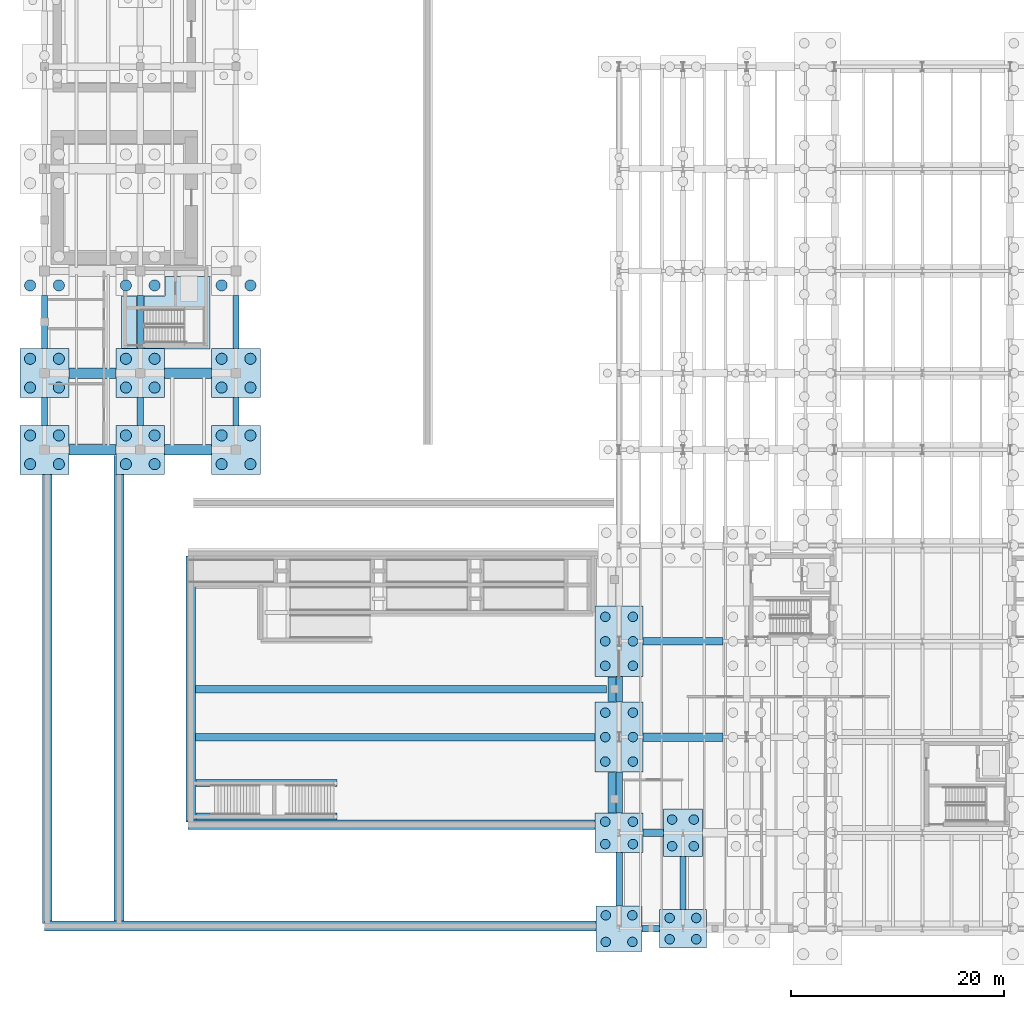
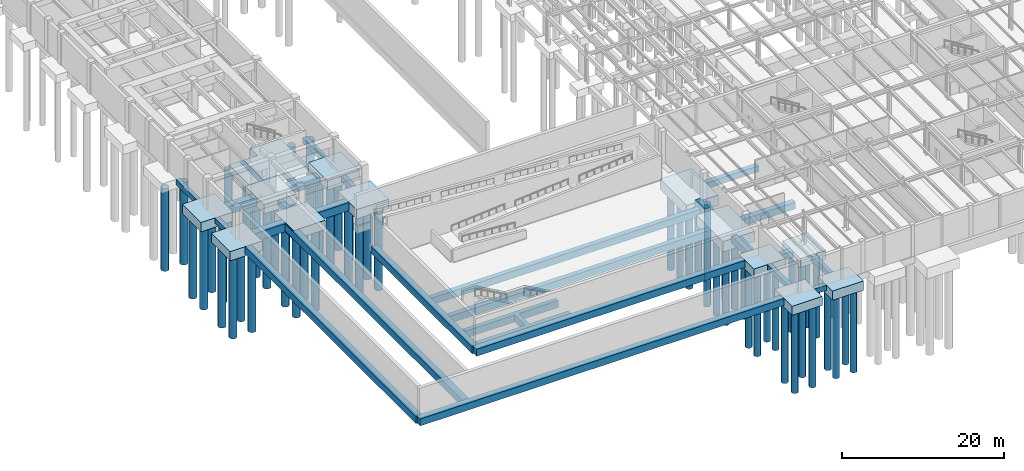
# One storey, part 1 of 59: 58 piles, 42 footings.
"""IFC4 building model written with IfcOpenShell, lengths in metres."""

from ifc_helpers import new_model, si_unit, direction, frame, origin, origin_2d, place, context, subcontext, project, spatial, polyline, rectangle, circle, outline, extrude, material, material_profile, profile_set, type_object, element, save


model = new_model("IFC4")

# Units and contexts
model_context = context("Model", 3, precision=1e-05, world=origin(), true_north=direction((0.0, 1.0)))
body_context = subcontext(model_context, "Body", "Model", "MODEL_VIEW")
ifc_project = project(units=[si_unit("LENGTHUNIT", "METRE"), si_unit("AREAUNIT", "SQUARE_METRE"), si_unit("VOLUMEUNIT", "CUBIC_METRE"), si_unit("PLANEANGLEUNIT", "RADIAN"), si_unit("MASSUNIT", "GRAM", prefix="KILO")], contexts=[model_context])

# Site, building, storey
site_placement = place(None, origin())
site = spatial("IfcSite", under=ifc_project, at=site_placement, CompositionType="ELEMENT")
building_placement = place(site_placement, origin())
building = spatial("IfcBuilding", under=site, at=building_placement, Name="Montealbar Specialist Clinic", CompositionType="ELEMENT")
storey_placement = place(building_placement, frame((0.0, 0.0, -4.800048828125)))
storey = spatial("IfcBuildingStorey", under=building, at=storey_placement, Name="B01", CompositionType="ELEMENT", Elevation=-4.800048828125)

# Footings
ifc_material = material(Name="Concrete C35/45", Category="concrete")
footing_type_1 = type_object("IfcFootingType", Name="FB-BUNKER-1000x1200", PredefinedType="FOOTING_BEAM", material=ifc_material)
footing_1_placement = place(storey_placement, frame((0.0, 0.0, -1.199951171875)))
element("IfcFooting", 1, at=footing_1_placement, inside=storey, type_object=footing_type_1, Name="Foundation Ground Beam FBX-23-67-450", PredefinedType="FOOTING_BEAM", context=body_context, shape_type="SweptSolid", body=[
    extrude(outline(polyline([(2.300048828125, 44.5), (6.699951171875, 44.5), (6.699951171875, 45.5), (2.300048828125, 45.5), (2.300048828125, 44.5)])), origin(), (0.0, 0.0, 1.0), 1.199951171875),
])
footing_2_placement = place(storey_placement, frame((0.0, 0.0, -1.199951171875)))
element("IfcFooting", 2, at=footing_2_placement, inside=storey, type_object=footing_type_1, Name="Foundation Ground Beam FBX-113-157-450", PredefinedType="FOOTING_BEAM", context=body_context, shape_type="SweptSolid", body=[
    extrude(outline(polyline([(11.300048828125, 44.5), (15.699951171875, 44.5), (15.699951171875, 45.5), (11.300048828125, 45.5), (11.300048828125, 44.5)])), origin(), (0.0, 0.0, 1.0), 1.199951171875),
])
footing_3_placement = place(storey_placement, frame((0.0, 0.0, -1.64990234375)))
element("IfcFooting", 3, at=footing_3_placement, inside=storey, type_object=footing_type_1, Name="Foundation Ground Beam FBX-23-67-522", PredefinedType="FOOTING_BEAM", context=body_context, shape_type="SweptSolid", body=[
    extrude(outline(polyline([(2.300048828125, 51.699951171875), (6.699951171875, 51.699951171875), (6.699951171875, 52.699951171875), (2.300048828125, 52.699951171875), (2.300048828125, 51.699951171875)])), origin(), (0.0, 0.0, 1.0), 1.199951171875),
])
footing_4_placement = place(storey_placement, frame((0.0, 0.0, -1.64990234375)))
element("IfcFooting", 4, at=footing_4_placement, inside=storey, type_object=footing_type_1, Name="Foundation Ground Beam FBX-113-157-522", PredefinedType="FOOTING_BEAM", context=body_context, shape_type="SweptSolid", body=[
    extrude(outline(polyline([(11.300048828125, 51.699951171875), (15.699951171875, 51.699951171875), (15.699951171875, 52.699951171875), (11.300048828125, 52.699951171875), (11.300048828125, 51.699951171875)])), origin(), (0.0, 0.0, 1.0), 1.199951171875),
])
footing_type_2 = type_object("IfcFootingType", Name="FB-TIE-600x800", PredefinedType="FOOTING_BEAM", material=ifc_material)
footing_5_placement = place(storey_placement, frame((0.0, 0.0, -0.800048828125)))
element("IfcFooting", 5, at=footing_5_placement, inside=storey, type_object=footing_type_2, Name="Foundation Ground Beam FBX-562-578-0", PredefinedType="FOOTING_BEAM", context=body_context, shape_type="SweptSolid", body=[
    extrude(outline(polyline([(56.14990234375, -0.300048828125), (57.800048828125, -0.300048828125), (57.800048828125, 0.300048828125), (56.14990234375, 0.300048828125), (56.14990234375, -0.300048828125)])), origin(), (0.0, 0.0, 1.0), 0.800048828125),
])
footing_6_placement = place(storey_placement, frame((0.0, 0.0, -0.800048828125)))
element("IfcFooting", 6, at=footing_6_placement, inside=storey, type_object=footing_type_2, Name="Foundation Tie Beam FBY-0-473-499", PredefinedType="FOOTING_BEAM", context=body_context, shape_type="SweptSolid", body=[
    extrude(outline(polyline([(-0.300048828125, 47.300048828125), (0.300048828125, 47.300048828125), (0.300048828125, 49.89990234375), (-0.300048828125, 49.89990234375), (-0.300048828125, 47.300048828125)])), origin(), (0.0, 0.0, 1.0), 0.800048828125),
])
footing_7_placement = place(storey_placement, frame((0.0, 0.0, -0.800048828125)))
element("IfcFooting", 7, at=footing_7_placement, inside=storey, type_object=footing_type_2, Name="Foundation Tie Beam FBY-0-545-595", PredefinedType="FOOTING_BEAM", context=body_context, shape_type="SweptSolid", body=[
    extrude(outline(polyline([(-0.300048828125, 54.5), (0.300048828125, 54.5), (0.300048828125, 59.5), (-0.300048828125, 59.5), (-0.300048828125, 54.5)])), origin(), (0.0, 0.0, 1.0), 0.800048828125),
])
footing_8_placement = place(storey_placement, frame((0.0, 0.0, -1.25)))
element("IfcFooting", 8, at=footing_8_placement, inside=storey, type_object=footing_type_2, Name="Foundation Tie Beam FBY-90-473-499", PredefinedType="FOOTING_BEAM", context=body_context, shape_type="SweptSolid", body=[
    extrude(outline(polyline([(8.699951171875, 47.300048828125), (9.300048828125, 47.300048828125), (9.300048828125, 49.89990234375), (8.699951171875, 49.89990234375), (8.699951171875, 47.300048828125)])), origin(), (0.0, 0.0, 1.0), 0.800048828125),
])
footing_9_placement = place(storey_placement, frame((0.0, 0.0, -1.25)))
element("IfcFooting", 9, at=footing_9_placement, inside=storey, type_object=footing_type_2, Name="Foundation Tie Beam FBY-90-545-595", PredefinedType="FOOTING_BEAM", context=body_context, shape_type="SweptSolid", body=[
    extrude(outline(polyline([(8.699951171875, 54.5), (9.300048828125, 54.5), (9.300048828125, 59.5), (8.699951171875, 59.5), (8.699951171875, 54.5)])), origin(), (0.0, 0.0, 1.0), 0.800048828125),
])
footing_10_placement = place(storey_placement, frame((0.0, 0.0, -0.800048828125)))
element("IfcFooting", 10, at=footing_10_placement, inside=storey, type_object=footing_type_2, Name="Foundation Tie Beam FBY-180-473-499", PredefinedType="FOOTING_BEAM", context=body_context, shape_type="SweptSolid", body=[
    extrude(outline(polyline([(17.699951171875, 47.300048828125), (18.300048828125, 47.300048828125), (18.300048828125, 49.89990234375), (17.699951171875, 49.89990234375), (17.699951171875, 47.300048828125)])), origin(), (0.0, 0.0, 1.0), 0.800048828125),
])
footing_11_placement = place(storey_placement, frame((0.0, 0.0, -0.800048828125)))
element("IfcFooting", 11, at=footing_11_placement, inside=storey, type_object=footing_type_2, Name="Foundation Tie Beam FBY-180-545-595", PredefinedType="FOOTING_BEAM", context=body_context, shape_type="SweptSolid", body=[
    extrude(outline(polyline([(17.699951171875, 54.5), (18.300048828125, 54.5), (18.300048828125, 59.5), (17.699951171875, 59.5), (17.699951171875, 54.5)])), origin(), (0.0, 0.0, 1.0), 0.800048828125),
])
footing_12_placement = place(storey_placement, frame((0.0, 0.0, -0.800048828125)))
element("IfcFooting", 12, at=footing_12_placement, inside=storey, type_object=footing_type_2, Name="Foundation Tie Beam FBY-540-22-72", PredefinedType="FOOTING_BEAM", context=body_context, shape_type="SweptSolid", body=[
    extrude(outline(polyline([(53.699951171875, 2.14990234375), (54.300048828125, 2.14990234375), (54.300048828125, 7.14990234375), (53.699951171875, 7.14990234375), (53.699951171875, 2.14990234375)])), origin(), (0.0, 0.0, 1.0), 0.800048828125),
])
footing_13_placement = place(storey_placement, frame((0.0, 0.0, -1.25)))
element("IfcFooting", 13, at=footing_13_placement, inside=storey, type_object=footing_type_2, Name="Foundation Tie Beam FBY-540-108-147", PredefinedType="FOOTING_BEAM", context=body_context, shape_type="SweptSolid", body=[
    extrude(outline(polyline([(53.699951171875, 10.85009765625), (54.300048828125, 10.85009765625), (54.300048828125, 14.699951171875), (53.699951171875, 14.699951171875), (53.699951171875, 10.85009765625)])), origin(), (0.0, 0.0, 1.0), 0.800048828125),
])
footing_14_placement = place(storey_placement, frame((0.0, 0.0, -1.25)))
element("IfcFooting", 14, at=footing_14_placement, inside=storey, type_object=footing_type_2, Name="Foundation Tie Beam FBY-540-213-237", PredefinedType="FOOTING_BEAM", context=body_context, shape_type="SweptSolid", body=[
    extrude(outline(polyline([(53.699951171875, 21.300048828125), (54.300048828125, 21.300048828125), (54.300048828125, 23.699951171875), (53.699951171875, 23.699951171875), (53.699951171875, 21.300048828125)])), origin(), (0.0, 0.0, 1.0), 0.800048828125),
])
footing_15_placement = place(storey_placement, frame((0.0, 0.0, -1.25)))
element("IfcFooting", 15, at=footing_15_placement, inside=storey, type_object=footing_type_2, Name="Foundation Tie Beam FBY-600-18-68", PredefinedType="FOOTING_BEAM", context=body_context, shape_type="SweptSolid", body=[
    extrude(outline(polyline([(59.699951171875, 1.800048828125), (60.300048828125, 1.800048828125), (60.300048828125, 6.77490234375), (59.699951171875, 6.77490234375), (59.699951171875, 1.800048828125)])), origin(), (0.0, 0.0, 1.0), 0.800048828125),
])
footing_type_3 = type_object("IfcFootingType", Name="FB-TIE-700x900", PredefinedType="FOOTING_BEAM", material=ifc_material)
footing_16_placement = place(storey_placement, frame((0.0, 0.0, -1.349853515625)))
element("IfcFooting", 16, at=footing_16_placement, inside=storey, type_object=footing_type_3, Name="Foundation Ground Beam FBX-562-582-90", PredefinedType="FOOTING_BEAM", context=body_context, shape_type="SweptSolid", body=[
    extrude(outline(polyline([(56.25, 8.64990234375), (58.175048828125, 8.64990234375), (58.175048828125, 9.35009765625), (56.25, 9.35009765625), (56.25, 8.64990234375)])), origin(), (0.0, 0.0, 1.0), 0.89990234375),
])
footing_17_placement = place(storey_placement, frame((0.0, 0.0, -1.349853515625)))
element("IfcFooting", 17, at=footing_17_placement, inside=storey, type_object=footing_type_3, Name="Foundation Ground Beam FBX-562-638-270", PredefinedType="FOOTING_BEAM", context=body_context, shape_type="SweptSolid", body=[
    extrude(outline(polyline([(56.25, 26.64990234375), (63.75, 26.64990234375), (63.75, 27.35009765625), (56.25, 27.35009765625), (56.25, 26.64990234375)])), origin(), (0.0, 0.0, 1.0), 0.89990234375),
])
footing_type_4 = type_object("IfcFootingType", Name="FB-TIE-800x1000", PredefinedType="FOOTING_BEAM", material=ifc_material)
footing_18_placement = place(storey_placement, frame((0.0, 0.0, -1.449951171875)))
element("IfcFooting", 18, at=footing_18_placement, inside=storey, type_object=footing_type_4, Name="Foundation Ground Beam FBX-562-638-180", PredefinedType="FOOTING_BEAM", context=body_context, shape_type="SweptSolid", body=[
    extrude(outline(polyline([(56.25, 17.60009765625), (63.75, 17.60009765625), (63.75, 18.39990234375), (56.25, 18.39990234375), (56.25, 17.60009765625)])), origin(), (0.0, 0.0, 1.0), 1.0),
])
footing_type_5 = type_object("IfcFootingType", Name="FT-CORE-STRIP", PredefinedType="STRIP_FOOTING", material=ifc_material)
footing_19_placement = place(storey_placement, frame((0.0, 0.0, -1.050048828125)))
element("IfcFooting", 19, at=footing_19_placement, inside=storey, type_object=footing_type_5, Name="Strip Footing FT-PLINTH-SW-S-1", PredefinedType="STRIP_FOOTING", context=body_context, shape_type="SweptSolid", body=[
    extrude(outline(polyline([(0.0, 0.699951171875), (51.820068359375, 0.699951171875), (51.820068359375, -0.199951171875), (0.0, -0.199951171875), (0.0, 0.699951171875)])), origin(), (0.0, 0.0, 1.0), 1.050048828125),
])
footing_20_placement = place(storey_placement, frame((0.0, 0.0, -1.050048828125)))
element("IfcFooting", 20, at=footing_20_placement, inside=storey, type_object=footing_type_5, Name="Strip Footing FT-PLINTH-SW-W-1", PredefinedType="STRIP_FOOTING", context=body_context, shape_type="SweptSolid", body=[
    extrude(outline(polyline([(0.0, 0.7099609375), (-0.0009765625, 0.7099609375), (-0.001953125, 0.7099609375), (-0.0029296875, 0.7099609375), (-0.00390625, 0.708984375), (-0.0048828125, 0.708984375), (-0.006103515625, 0.7080078125), (-0.006103515625, 0.7080078125), (-0.007080078125, 0.70703125), (-0.008056640625, 0.7060546875), (-0.008056640625, 0.7060546875), (-0.009033203125, 0.705078125), (-0.009033203125, 0.7041015625), (-0.010009765625, 0.702880859375), (-0.010009765625, 0.701904296875), (-0.010009765625, 0.700927734375), (-0.010009765625, 0.699951171875), (-0.010009765625, 0.5), (-0.199951171875, 0.5), (-0.199951171875, 42.669921875), (0.699951171875, 42.669921875), (0.699951171875, 0.7099609375), (0.0, 0.7099609375)])), origin(), (0.0, 0.0, 1.0), 1.050048828125),
])
footing_21_placement = place(storey_placement, frame((0.0, 0.0, -1.050048828125)))
element("IfcFooting", 21, at=footing_21_placement, inside=storey, type_object=footing_type_5, Name="Strip Footing FT-PLINTH-FC-S-1", PredefinedType="STRIP_FOOTING", context=body_context, shape_type="SweptSolid", body=[
    extrude(outline(polyline([(51.719970703125, 9.300048828125), (13.5, 9.300048828125), (13.5, 10.199951171875), (51.719970703125, 10.199951171875), (51.719970703125, 9.300048828125)])), origin(), (0.0, 0.0, 1.0), 1.050048828125),
])
footing_22_placement = place(storey_placement, frame((0.0, 0.0, -1.050048828125)))
element("IfcFooting", 22, at=footing_22_placement, inside=storey, type_object=footing_type_5, Name="Strip Footing FT-PLINTH-FC-W-1", PredefinedType="STRIP_FOOTING", context=body_context, shape_type="SweptSolid", body=[
    extrude(outline(polyline([(14.199951171875, 10.2099609375), (13.5, 10.2099609375), (13.4990234375, 10.2099609375), (13.498046875, 10.2099609375), (13.4970703125, 10.2099609375), (13.49609375, 10.208984375), (13.4951171875, 10.208984375), (13.493896484375, 10.2080078125), (13.493896484375, 10.2080078125), (13.492919921875, 10.20703125), (13.491943359375, 10.2060546875), (13.491943359375, 10.2060546875), (13.490966796875, 10.205078125), (13.490966796875, 10.2041015625), (13.489990234375, 10.202880859375), (13.489990234375, 10.201904296875), (13.489990234375, 10.200927734375), (13.489990234375, 10.199951171875), (13.489990234375, 10.0), (13.300048828125, 10.0), (13.300048828125, 35.0), (14.199951171875, 35.0), (14.199951171875, 10.2099609375)])), origin(), (0.0, 0.0, 1.0), 1.050048828125),
])
footing_23_placement = place(storey_placement, frame((0.0, 0.0, -1.050048828125)))
element("IfcFooting", 23, at=footing_23_placement, inside=storey, type_object=footing_type_5, Name="Strip Footing FT-PLINTH-SUP-SW1-1", PredefinedType="STRIP_FOOTING", context=body_context, shape_type="SweptSolid", body=[
    extrude(outline(polyline([(6.550048828125, 0.7099609375), (6.550048828125, 44.469970703125), (6.669921875, 44.469970703125), (6.669921875, 42.669921875), (7.449951171875, 42.669921875), (7.449951171875, 0.7099609375), (6.550048828125, 0.7099609375)])), origin(), (0.0, 0.0, 1.0), 1.050048828125),
])
footing_24_placement = place(storey_placement, frame((0.0, 0.0, -1.050048828125)))
element("IfcFooting", 24, at=footing_24_placement, inside=storey, type_object=footing_type_5, Name="Strip Footing FT-METRO-MP-2", PredefinedType="STRIP_FOOTING", context=body_context, shape_type="SweptSolid", body=[
    extrude(outline(polyline([(52.949951171875, 21.330078125), (52.949951171875, 23.669921875), (53.669921875, 23.669921875), (53.669921875, 21.330078125), (52.949951171875, 21.330078125)])), origin(), (0.0, 0.0, 1.0), 1.050048828125),
])
footing_25_placement = place(storey_placement, frame((0.0, 0.0, -1.050048828125)))
element("IfcFooting", 25, at=footing_25_placement, inside=storey, type_object=footing_type_5, Name="Strip Footing FT-METRO-MP-3", PredefinedType="STRIP_FOOTING", context=body_context, shape_type="SweptSolid", body=[
    extrude(outline(polyline([(52.949951171875, 14.669921875), (53.669921875, 14.669921875), (53.669921875, 10.8798828125), (52.949951171875, 10.8798828125), (52.949951171875, 14.669921875)])), origin(), (0.0, 0.0, 1.0), 1.050048828125),
])
footing_26_placement = place(storey_placement, frame((0.0, 0.0, -1.5)))
element("IfcFooting", 26, at=footing_26_placement, inside=storey, type_object=footing_type_5, Name="Strip Footing FT-FC-X-180-1", PredefinedType="STRIP_FOOTING", context=body_context, shape_type="SweptSolid", body=[
    extrude(outline(polyline([(51.719970703125, 17.64990234375), (14.2099609375, 17.64990234375), (14.2099609375, 18.35009765625), (51.719970703125, 18.35009765625), (51.719970703125, 17.64990234375)])), origin(), (0.0, 0.0, 1.0), 1.050048828125),
])
footing_27_placement = place(storey_placement, frame((0.0, 0.0, -1.5)))
element("IfcFooting", 27, at=footing_27_placement, inside=storey, type_object=footing_type_5, Name="Strip Footing FT-FC-X-225-1", PredefinedType="STRIP_FOOTING", context=body_context, shape_type="SweptSolid", body=[
    extrude(outline(polyline([(14.2099609375, 22.14990234375), (14.2099609375, 22.85009765625), (52.800048828125, 22.85009765625), (52.800048828125, 22.14990234375), (14.2099609375, 22.14990234375)])), origin(), (0.0, 0.0, 1.0), 1.050048828125),
])
footing_28_placement = place(storey_placement, frame((0.0, 0.0, -1.5)))
element("IfcFooting", 28, at=footing_28_placement, inside=storey, type_object=footing_type_5, Name="Strip Footing FT-CORE-C1-1", PredefinedType="STRIP_FOOTING", context=body_context, shape_type="SweptSolid", body=[
    extrude(outline(polyline([(8.669921875, 54.530029296875), (7.25, 54.530029296875), (7.25, 59.469970703125), (8.669921875, 59.469970703125), (8.669921875, 54.530029296875)])), origin(), (0.0, 0.0, 1.0), 1.050048828125),
])
footing_29_placement = place(storey_placement, frame((0.0, 0.0, -1.5)))
element("IfcFooting", 29, at=footing_29_placement, inside=storey, type_object=footing_type_5, Name="Strip Footing FT-CORE-C1-2", PredefinedType="STRIP_FOOTING", context=body_context, shape_type="SweptSolid", body=[
    extrude(outline(polyline([(15.550048828125, 61.27001953125), (15.550048828125, 54.449951171875), (11.330078125, 54.449951171875), (11.330078125, 54.530029296875), (9.330078125, 54.530029296875), (9.330078125, 59.469970703125), (11.330078125, 59.469970703125), (11.330078125, 61.27001953125), (15.550048828125, 61.27001953125)])), origin(), (0.0, 0.0, 1.0), 1.050048828125),
])
footing_30_placement = place(storey_placement, frame((0.0, 0.0, -1.050048828125)))
element("IfcFooting", 30, at=footing_30_placement, inside=storey, type_object=footing_type_5, Name="Strip Footing FT-FORECOURT-WALLS-1", PredefinedType="STRIP_FOOTING", context=body_context, shape_type="SweptSolid", body=[
    extrude(outline(polyline([(14.260009765625, 13.9951171875), (27.5, 13.9951171875), (27.5, 13.35498046875), (21.919921875, 13.35498046875), (21.919921875, 10.844970703125), (27.5, 10.844970703125), (27.5, 10.2099609375), (14.260009765625, 10.2099609375), (14.260009765625, 10.844970703125), (21.280029296875, 10.844970703125), (21.280029296875, 13.35498046875), (14.260009765625, 13.35498046875), (14.260009765625, 13.9951171875)])), origin(), (0.0, 0.0, 1.0), 1.050048828125),
])
footing_type_6 = type_object("IfcFootingType", Name="PC-4F", PredefinedType="PILE_CAP", material=ifc_material)
footing_31_placement = place(storey_placement, frame((54.0, 0.0, -1.35009765625), z_axis=(0.0, 0.0, 1.0), x_axis=(1.0, 0.0, 0.0)))
element("IfcFooting", 31, at=footing_31_placement, inside=storey, type_object=footing_type_6, Name="Pile Cap 7/A", PredefinedType="PILE_CAP", context=body_context, shape_type="SweptSolid", body=[
    extrude(rectangle(XDim=4.300048828125, YDim=4.300048828125, at=origin_2d()), origin(), (0.0, 0.0, 1.0), 1.35009765625),
])
footing_type_7 = type_object("IfcFootingType", Name="PC-4G", PredefinedType="PILE_CAP", material=ifc_material)
footing_32_placement = place(storey_placement, frame((54.0, 9.0, -1.35009765625), z_axis=(0.0, 0.0, 1.0), x_axis=(1.0, 0.0, 0.0)))
element("IfcFooting", 32, at=footing_32_placement, inside=storey, type_object=footing_type_7, Name="Pile Cap 7/B", PredefinedType="PILE_CAP", context=body_context, shape_type="SweptSolid", body=[
    extrude(rectangle(XDim=4.5, YDim=3.699951171875, at=origin_2d()), origin(), (0.0, 0.0, 1.0), 1.35009765625),
])
footing_type_8 = type_object("IfcFootingType", Name="PC-4H", PredefinedType="PILE_CAP", material=ifc_material)
for number, where, z_axis, x_axis, name in (
    (33, (0.0, 45.0, -1.39990234375), (0.0, 0.0, 1.0), (1.0, 0.0, 0.0), "Pile Cap 1/F"),
    (34, (0.0, 52.199951171875, -1.39990234375), (0.0, 0.0, 1.0), (1.0, 0.0, 0.0), "Pile Cap 1/G"),
    (35, (9.0, 45.0, -1.39990234375), (0.0, 0.0, 1.0), (1.0, 0.0, 0.0), "Pile Cap 2/F"),
    (36, (9.0, 52.199951171875, -1.849853515625), (0.0, 0.0, 1.0), (1.0, 0.0, 0.0), "Pile Cap 2/G"),
    (37, (18.0, 45.0, -1.39990234375), (0.0, 0.0, 1.0), (1.0, 0.0, 0.0), "Pile Cap 3/F"),
    (38, (18.0, 52.199951171875, -1.39990234375), (0.0, 0.0, 1.0), (1.0, 0.0, 0.0), "Pile Cap 3/G"),
):
    element("IfcFooting", number, at=place(storey_placement, frame(where, z_axis=z_axis, x_axis=x_axis)), inside=storey, type_object=footing_type_8, Name=name, PredefinedType="PILE_CAP", context=body_context, shape_type="SweptSolid", body=[
        extrude(rectangle(XDim=4.60009765625, YDim=4.60009765625, at=origin_2d()), origin(), (0.0, 0.0, 1.0), 1.39990234375),
    ])
footing_type_9 = type_object("IfcFootingType", Name="PC-4J", PredefinedType="PILE_CAP", material=ifc_material)
footing_33_placement = place(storey_placement, frame((60.0, 0.0, -1.39990234375), z_axis=(0.0, 0.0, 1.0), x_axis=(1.0, 0.0, 0.0)))
element("IfcFooting", 39, at=footing_33_placement, inside=storey, type_object=footing_type_9, Name="Pile Cap 8/A", PredefinedType="PILE_CAP", context=body_context, shape_type="SweptSolid", body=[
    extrude(rectangle(XDim=4.39990234375, YDim=3.60009765625, at=origin_2d()), origin(), (0.0, 0.0, 1.0), 1.39990234375),
])
footing_type_10 = type_object("IfcFootingType", Name="PC-4K", PredefinedType="PILE_CAP", material=ifc_material)
footing_34_placement = place(storey_placement, frame((60.0, 9.0, -1.800048828125), z_axis=(0.0, 0.0, 1.0), x_axis=(1.0, 0.0, 0.0)))
element("IfcFooting", 40, at=footing_34_placement, inside=storey, type_object=footing_type_10, Name="Pile Cap 8/B", PredefinedType="PILE_CAP", context=body_context, shape_type="SweptSolid", body=[
    extrude(rectangle(XDim=3.64990234375, YDim=4.449951171875, at=origin_2d()), origin(), (0.0, 0.0, 1.0), 1.35009765625),
])
footing_type_11 = type_object("IfcFootingType", Name="PC-6D", PredefinedType="PILE_CAP", material=ifc_material)
for number, where, z_axis, x_axis, name in (
    (41, (54.0, 18.0, -2.0), (0.0, 0.0, 1.0), (1.0, 0.0, 0.0), "Pile Cap 7/C"),
    (42, (54.0, 27.0, -2.0), (0.0, 0.0, 1.0), (1.0, 0.0, 0.0), "Pile Cap 7/D"),
):
    element("IfcFooting", number, at=place(storey_placement, frame(where, z_axis=z_axis, x_axis=x_axis)), inside=storey, type_object=footing_type_11, Name=name, PredefinedType="PILE_CAP", context=body_context, shape_type="SweptSolid", body=[
        extrude(rectangle(XDim=4.5, YDim=6.60009765625, at=origin_2d()), origin(), (0.0, 0.0, 1.0), 1.550048828125),
    ])

# Piles
ifc_material_profile_1 = material_profile(ifc_material, circle(Radius=0.52490234375, at=origin_2d()), Name="PILE D1050", Category="concrete")
ifc_profile_set_1 = profile_set([ifc_material_profile_1], Name="Concrete C35/45")
pile_type_1 = type_object("IfcPileType", Name="PILE-D1050", PredefinedType="BORED", material=ifc_profile_set_1)
for number, where, z_axis, x_axis, name in (
    (43, (-1.35009765625, 43.64990234375, -1.300048828125), (0.0, 0.0, -1.0), (1.0, 0.0, 0.0), "Bored Pile 1/F-P1"),
    (44, (1.35009765625, 43.64990234375, -1.300048828125), (0.0, 0.0, -1.0), (1.0, 0.0, 0.0), "Bored Pile 1/F-P2"),
    (45, (-1.35009765625, 46.35009765625, -1.300048828125), (0.0, 0.0, -1.0), (1.0, 0.0, 0.0), "Bored Pile 1/F-P3"),
    (46, (1.35009765625, 46.35009765625, -1.300048828125), (0.0, 0.0, -1.0), (1.0, 0.0, 0.0), "Bored Pile 1/F-P4"),
    (47, (-1.35009765625, 50.85009765625, -1.300048828125), (0.0, 0.0, -1.0), (1.0, 0.0, 0.0), "Bored Pile 1/G-P1"),
    (48, (1.35009765625, 50.85009765625, -1.300048828125), (0.0, 0.0, -1.0), (1.0, 0.0, 0.0), "Bored Pile 1/G-P2"),
    (49, (-1.35009765625, 53.550048828125, -1.300048828125), (0.0, 0.0, -1.0), (1.0, 0.0, 0.0), "Bored Pile 1/G-P3"),
    (50, (1.35009765625, 53.550048828125, -1.300048828125), (0.0, 0.0, -1.0), (1.0, 0.0, 0.0), "Bored Pile 1/G-P4"),
    (51, (-1.35009765625, 60.449951171875, -1.300048828125), (0.0, 0.0, -1.0), (1.0, 0.0, 0.0), "Bored Pile 1/H-P1"),
    (52, (1.35009765625, 60.449951171875, -1.300048828125), (0.0, 0.0, -1.0), (1.0, 0.0, 0.0), "Bored Pile 1/H-P2"),
    (53, (7.64990234375, 43.64990234375, -1.300048828125), (0.0, 0.0, -1.0), (1.0, 0.0, 0.0), "Bored Pile 2/F-P1"),
    (54, (10.35009765625, 43.64990234375, -1.300048828125), (0.0, 0.0, -1.0), (1.0, 0.0, 0.0), "Bored Pile 2/F-P2"),
    (55, (7.64990234375, 46.35009765625, -1.300048828125), (0.0, 0.0, -1.0), (1.0, 0.0, 0.0), "Bored Pile 2/F-P3"),
    (56, (10.35009765625, 46.35009765625, -1.300048828125), (0.0, 0.0, -1.0), (1.0, 0.0, 0.0), "Bored Pile 2/F-P4"),
):
    element("IfcPile", number, at=place(storey_placement, frame(where, z_axis=z_axis, x_axis=x_axis)), inside=storey, type_object=pile_type_1, Name=name, PredefinedType="BORED", context=body_context, shape_type="SweptSolid", body=[
        extrude(circle(Radius=0.52490234375, at=origin_2d()), origin(), (0.0, 0.0, 1.0), 12.39990234375),
    ])
for number, where, z_axis, x_axis, name in (
    (57, (7.64990234375, 50.85009765625, -1.75), (0.0, 0.0, -1.0), (1.0, 0.0, 0.0), "Bored Pile 2/G-P1"),
    (58, (10.35009765625, 50.85009765625, -1.75), (0.0, 0.0, -1.0), (1.0, 0.0, 0.0), "Bored Pile 2/G-P2"),
    (59, (7.64990234375, 53.550048828125, -1.75), (0.0, 0.0, -1.0), (1.0, 0.0, 0.0), "Bored Pile 2/G-P3"),
    (60, (10.35009765625, 53.550048828125, -1.75), (0.0, 0.0, -1.0), (1.0, 0.0, 0.0), "Bored Pile 2/G-P4"),
    (61, (7.64990234375, 60.449951171875, -1.75), (0.0, 0.0, -1.0), (1.0, 0.0, 0.0), "Bored Pile 2/H-P1"),
    (62, (10.35009765625, 60.449951171875, -1.75), (0.0, 0.0, -1.0), (1.0, 0.0, 0.0), "Bored Pile 2/H-P2"),
):
    element("IfcPile", number, at=place(storey_placement, frame(where, z_axis=z_axis, x_axis=x_axis)), inside=storey, type_object=pile_type_1, Name=name, PredefinedType="BORED", context=body_context, shape_type="SweptSolid", body=[
        extrude(circle(Radius=0.52490234375, at=origin_2d()), origin(), (0.0, 0.0, 1.0), 11.949951171875),
    ])
for number, where, z_axis, x_axis, name in (
    (63, (16.64990234375, 43.64990234375, -1.300048828125), (0.0, 0.0, -1.0), (1.0, 0.0, 0.0), "Bored Pile 3/F-P1"),
    (64, (19.35009765625, 43.64990234375, -1.300048828125), (0.0, 0.0, -1.0), (1.0, 0.0, 0.0), "Bored Pile 3/F-P2"),
    (65, (16.64990234375, 46.35009765625, -1.300048828125), (0.0, 0.0, -1.0), (1.0, 0.0, 0.0), "Bored Pile 3/F-P3"),
    (66, (19.35009765625, 46.35009765625, -1.300048828125), (0.0, 0.0, -1.0), (1.0, 0.0, 0.0), "Bored Pile 3/F-P4"),
    (67, (16.64990234375, 50.85009765625, -1.300048828125), (0.0, 0.0, -1.0), (1.0, 0.0, 0.0), "Bored Pile 3/G-P1"),
    (68, (19.35009765625, 50.85009765625, -1.300048828125), (0.0, 0.0, -1.0), (1.0, 0.0, 0.0), "Bored Pile 3/G-P2"),
    (69, (16.64990234375, 53.550048828125, -1.300048828125), (0.0, 0.0, -1.0), (1.0, 0.0, 0.0), "Bored Pile 3/G-P3"),
    (70, (19.35009765625, 53.550048828125, -1.300048828125), (0.0, 0.0, -1.0), (1.0, 0.0, 0.0), "Bored Pile 3/G-P4"),
    (71, (16.64990234375, 60.449951171875, -1.300048828125), (0.0, 0.0, -1.0), (1.0, 0.0, 0.0), "Bored Pile 3/H-P1"),
    (72, (19.35009765625, 60.449951171875, -1.300048828125), (0.0, 0.0, -1.0), (1.0, 0.0, 0.0), "Bored Pile 3/H-P2"),
):
    element("IfcPile", number, at=place(storey_placement, frame(where, z_axis=z_axis, x_axis=x_axis)), inside=storey, type_object=pile_type_1, Name=name, PredefinedType="BORED", context=body_context, shape_type="SweptSolid", body=[
        extrude(circle(Radius=0.52490234375, at=origin_2d()), origin(), (0.0, 0.0, 1.0), 12.39990234375),
    ])
ifc_material_profile_2 = material_profile(ifc_material, circle(Radius=0.449951171875, at=origin_2d()), Name="PILE D900", Category="concrete")
ifc_profile_set_2 = profile_set([ifc_material_profile_2], Name="Concrete C35/45")
pile_type_2 = type_object("IfcPileType", Name="PILE-D900", PredefinedType="BORED", material=ifc_profile_set_2)
for number, where, z_axis, x_axis, name in (
    (73, (52.75, -1.25, -1.25), (0.0, 0.0, -1.0), (1.0, 0.0, 0.0), "Bored Pile 7/A-P1"),
    (74, (55.25, -1.25, -1.25), (0.0, 0.0, -1.0), (1.0, 0.0, 0.0), "Bored Pile 7/A-P2"),
    (75, (52.75, 1.25, -1.25), (0.0, 0.0, -1.0), (1.0, 0.0, 0.0), "Bored Pile 7/A-P3"),
    (76, (55.25, 1.25, -1.25), (0.0, 0.0, -1.0), (1.0, 0.0, 0.0), "Bored Pile 7/A-P4"),
    (77, (52.699951171875, 7.949951171875, -1.25), (0.0, 0.0, -1.0), (1.0, 0.0, 0.0), "Bored Pile 7/B-P1"),
    (78, (55.300048828125, 7.949951171875, -1.25), (0.0, 0.0, -1.0), (1.0, 0.0, 0.0), "Bored Pile 7/B-P2"),
    (79, (52.699951171875, 10.050048828125, -1.25), (0.0, 0.0, -1.0), (1.0, 0.0, 0.0), "Bored Pile 7/B-P3"),
    (80, (55.300048828125, 10.050048828125, -1.25), (0.0, 0.0, -1.0), (1.0, 0.0, 0.0), "Bored Pile 7/B-P4"),
):
    element("IfcPile", number, at=place(storey_placement, frame(where, z_axis=z_axis, x_axis=x_axis)), inside=storey, type_object=pile_type_2, Name=name, PredefinedType="BORED", context=body_context, shape_type="SweptSolid", body=[
        extrude(circle(Radius=0.449951171875, at=origin_2d()), origin(), (0.0, 0.0, 1.0), 12.449951171875),
    ])
for number, where, z_axis, x_axis, name in (
    (81, (52.699951171875, 15.699951171875, -1.89990234375), (0.0, 0.0, -1.0), (1.0, 0.0, 0.0), "Bored Pile 7/C-P1"),
    (82, (55.300048828125, 15.699951171875, -1.89990234375), (0.0, 0.0, -1.0), (1.0, 0.0, 0.0), "Bored Pile 7/C-P2"),
    (83, (52.699951171875, 18.0, -1.89990234375), (0.0, 0.0, -1.0), (1.0, 0.0, 0.0), "Bored Pile 7/C-P3"),
    (84, (55.300048828125, 18.0, -1.89990234375), (0.0, 0.0, -1.0), (1.0, 0.0, 0.0), "Bored Pile 7/C-P4"),
    (85, (52.699951171875, 20.300048828125, -1.89990234375), (0.0, 0.0, -1.0), (1.0, 0.0, 0.0), "Bored Pile 7/C-P5"),
    (86, (55.300048828125, 20.300048828125, -1.89990234375), (0.0, 0.0, -1.0), (1.0, 0.0, 0.0), "Bored Pile 7/C-P6"),
    (87, (52.699951171875, 24.699951171875, -1.89990234375), (0.0, 0.0, -1.0), (1.0, 0.0, 0.0), "Bored Pile 7/D-P1"),
    (88, (55.300048828125, 24.699951171875, -1.89990234375), (0.0, 0.0, -1.0), (1.0, 0.0, 0.0), "Bored Pile 7/D-P2"),
    (89, (52.699951171875, 27.0, -1.89990234375), (0.0, 0.0, -1.0), (1.0, 0.0, 0.0), "Bored Pile 7/D-P3"),
    (90, (55.300048828125, 27.0, -1.89990234375), (0.0, 0.0, -1.0), (1.0, 0.0, 0.0), "Bored Pile 7/D-P4"),
    (91, (52.699951171875, 29.300048828125, -1.89990234375), (0.0, 0.0, -1.0), (1.0, 0.0, 0.0), "Bored Pile 7/D-P5"),
    (92, (55.300048828125, 29.300048828125, -1.89990234375), (0.0, 0.0, -1.0), (1.0, 0.0, 0.0), "Bored Pile 7/D-P6"),
):
    element("IfcPile", number, at=place(storey_placement, frame(where, z_axis=z_axis, x_axis=x_axis)), inside=storey, type_object=pile_type_2, Name=name, PredefinedType="BORED", context=body_context, shape_type="SweptSolid", body=[
        extrude(circle(Radius=0.449951171875, at=origin_2d()), origin(), (0.0, 0.0, 1.0), 11.800048828125),
    ])
for number, where, z_axis, x_axis, name in (
    (93, (58.75, -1.0, -1.300048828125), (0.0, 0.0, -1.0), (1.0, 0.0, 0.0), "Bored Pile 8/A-P1"),
    (94, (61.25, -1.0, -1.300048828125), (0.0, 0.0, -1.0), (1.0, 0.0, 0.0), "Bored Pile 8/A-P2"),
    (95, (58.75, 1.0, -1.300048828125), (0.0, 0.0, -1.0), (1.0, 0.0, 0.0), "Bored Pile 8/A-P3"),
    (96, (61.25, 1.0, -1.300048828125), (0.0, 0.0, -1.0), (1.0, 0.0, 0.0), "Bored Pile 8/A-P4"),
):
    element("IfcPile", number, at=place(storey_placement, frame(where, z_axis=z_axis, x_axis=x_axis)), inside=storey, type_object=pile_type_2, Name=name, PredefinedType="BORED", context=body_context, shape_type="SweptSolid", body=[
        extrude(circle(Radius=0.449951171875, at=origin_2d()), origin(), (0.0, 0.0, 1.0), 12.39990234375),
    ])
for number, where, z_axis, x_axis, name in (
    (97, (58.97998046875, 7.75, -1.699951171875), (0.0, 0.0, -1.0), (1.0, 0.0, 0.0), "Bored Pile 8/B-P1"),
    (98, (61.02001953125, 7.75, -1.699951171875), (0.0, 0.0, -1.0), (1.0, 0.0, 0.0), "Bored Pile 8/B-P2"),
    (99, (58.97998046875, 10.25, -1.699951171875), (0.0, 0.0, -1.0), (1.0, 0.0, 0.0), "Bored Pile 8/B-P3"),
    (100, (61.02001953125, 10.25, -1.699951171875), (0.0, 0.0, -1.0), (1.0, 0.0, 0.0), "Bored Pile 8/B-P4"),
):
    element("IfcPile", number, at=place(storey_placement, frame(where, z_axis=z_axis, x_axis=x_axis)), inside=storey, type_object=pile_type_2, Name=name, PredefinedType="BORED", context=body_context, shape_type="SweptSolid", body=[
        extrude(circle(Radius=0.449951171875, at=origin_2d()), origin(), (0.0, 0.0, 1.0), 12.0),
    ])

save(model, "model.ifc")
